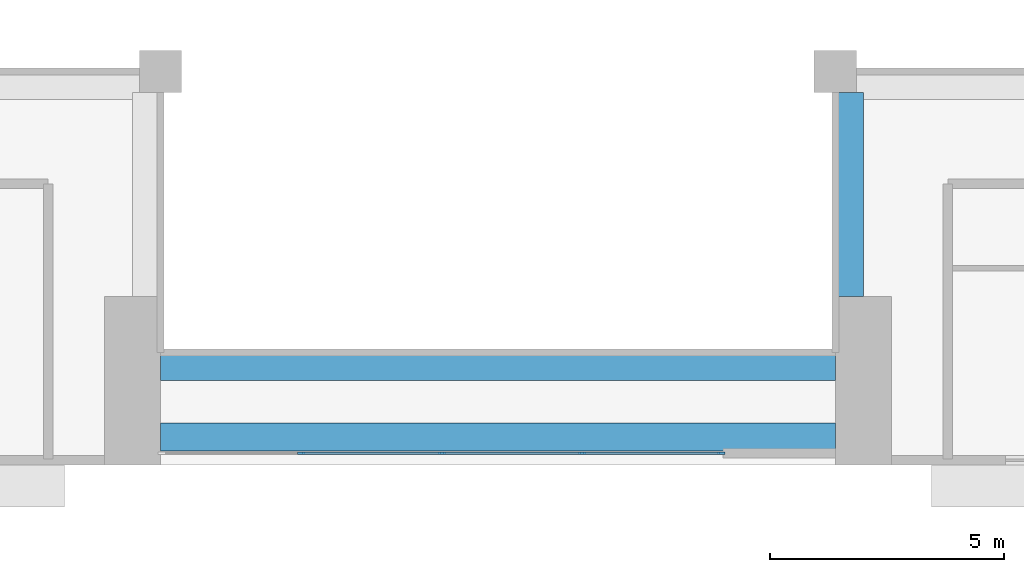
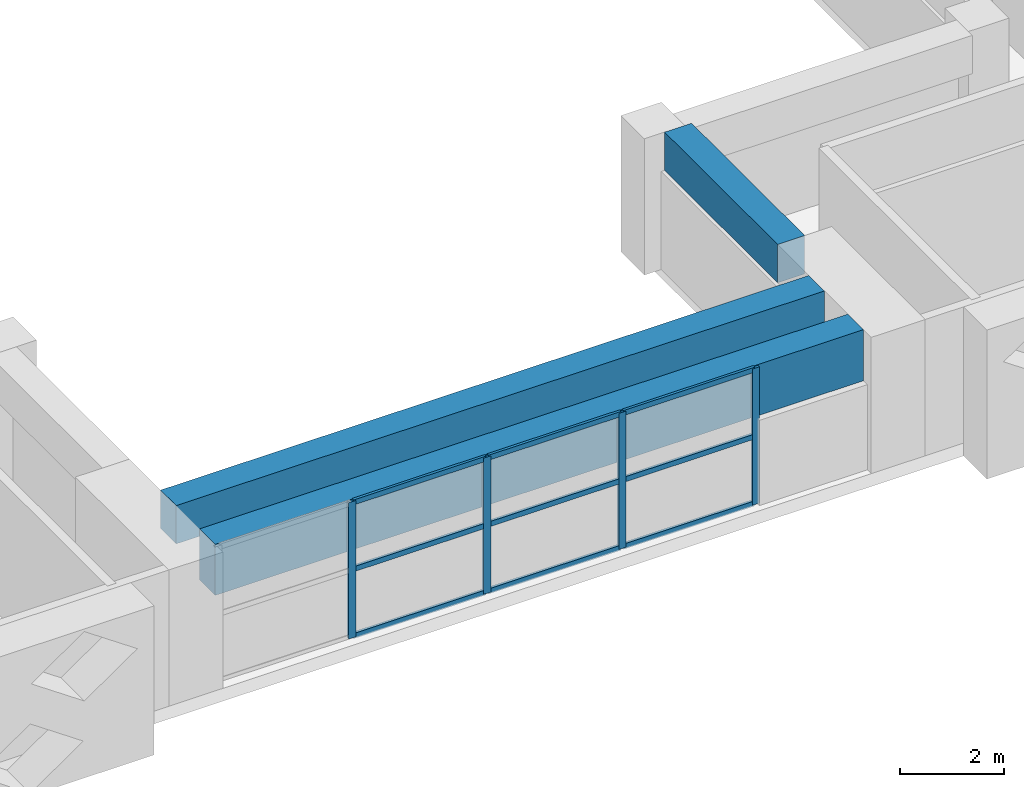
# One storey, part 4 of 20: 13 members, 3 beams, 1 element without a shape of its own.
"""IFC4 building model written with IfcOpenShell, lengths in metres."""

import ifcopenshell
import ifcopenshell.guid

model = None  # the IFC model being written
_history = None  # IfcOwnerHistory: only IFC2X3 demands one
_inside = {}  # id of a spatial element -> (the spatial element, [elements in it])
_under = {}  # id of a project, library or spatial element -> (it, [spatial elements below it])
_declared = {}  # id of a project -> (the project, [libraries it declares])
_typed = {}  # id of a type object -> (the type object, [elements of that type])
_made_of = {}  # id of a material, layer set ... -> (it, [elements and type objects made of it])


def new_model(schema):
    """Start an empty IFC model of exactly this schema.

    Asked for "IFC4X3", IfcOpenShell would pick the latest addendum, in which some entities
    have other attributes; the version numbers below select the first issue.
    IFC2X3 requires an IfcOwnerHistory on every rooted entity: one is made here for all.
    """
    global model, _history
    if schema == "IFC4X3":
        model = ifcopenshell.file(schema_version=(4, 3, 0, 0))
    else:
        model = ifcopenshell.file(schema=schema)
    _inside.clear()
    _under.clear()
    _declared.clear()
    _typed.clear()
    _made_of.clear()
    _history = None
    if model.schema == "IFC2X3":
        org = make("IfcOrganization", Name="unknown")
        user = make(
            "IfcPersonAndOrganization",
            ThePerson=make("IfcPerson", FamilyName="unknown"),
            TheOrganization=org,
        )
        app = make(
            "IfcApplication",
            ApplicationDeveloper=org,
            Version="unknown",
            ApplicationFullName="unknown",
            ApplicationIdentifier="unknown",
        )
        _history = make(
            "IfcOwnerHistory",
            OwningUser=user,
            OwningApplication=app,
            ChangeAction="ADDED",
            CreationDate=0,
        )
    return model


def make(cls, **values):
    """One entity of the class cls with the attributes given. An attribute that is None is left unset."""
    return model.create_entity(
        cls, **{name: value for name, value in values.items() if value is not None}
    )


def rooted(cls, **values):
    """An entity with a GlobalId (a new one), such as an element, a storey or a relation."""
    return make(cls, GlobalId=ifcopenshell.guid.new(), OwnerHistory=_history, **values)


def si_unit(unit_type, name, prefix=None):
    """IfcSIUnit, for example si_unit("LENGTHUNIT", "METRE", prefix="MILLI")."""
    return make("IfcSIUnit", UnitType=unit_type, Prefix=prefix, Name=name)


def assignment(units):
    """IfcUnitAssignment: the units of a project."""
    return None if units is None else make("IfcUnitAssignment", Units=units)


def point(xyz):
    """IfcCartesianPoint."""
    return None if xyz is None else make("IfcCartesianPoint", Coordinates=xyz)


def direction(xyz):
    """IfcDirection."""
    return None if xyz is None else make("IfcDirection", DirectionRatios=xyz)


def frame(location, z_axis=None, x_axis=None):
    """IfcAxis2Placement3D, a coordinate frame: its origin and axes. An axis left out is left unset."""
    return make(
        "IfcAxis2Placement3D",
        Location=point(location),
        Axis=direction(z_axis),
        RefDirection=direction(x_axis),
    )


def frame_2d(location, x_axis=None):
    """IfcAxis2Placement2D, a coordinate frame in the plane: its origin and x axis."""
    return make(
        "IfcAxis2Placement2D", Location=point(location), RefDirection=direction(x_axis)
    )


def origin():
    """The frame at (0, 0, 0) with its axes left unset."""
    return frame((0.0, 0.0, 0.0))


def origin_2d():
    """The frame at (0, 0) in the plane with its x axis left unset."""
    return frame_2d((0.0, 0.0))


def place(relative_to, where):
    """IfcLocalPlacement: puts the frame where relative to a parent placement (None: the world)."""
    return make(
        "IfcLocalPlacement", PlacementRelTo=relative_to, RelativePlacement=where
    )


def context(
    kind, dimensions, precision=None, world=None, true_north=None, identifier=None
):
    """IfcGeometricRepresentationContext, for example the 3D "Model" context."""
    return make(
        "IfcGeometricRepresentationContext",
        ContextIdentifier=identifier,
        ContextType=kind,
        CoordinateSpaceDimension=dimensions,
        Precision=precision,
        WorldCoordinateSystem=world,
        TrueNorth=true_north,
    )


def subcontext(parent, identifier, kind, view, scale=None):
    """IfcGeometricRepresentationSubContext, for example "Body" below "Model"."""
    return make(
        "IfcGeometricRepresentationSubContext",
        ContextIdentifier=identifier,
        ContextType=kind,
        ParentContext=parent,
        TargetScale=scale,
        TargetView=view,
    )


def project(units=None, contexts=None):
    """IfcProject with its units and contexts."""
    return rooted(
        "IfcProject",
        Name="project",
        RepresentationContexts=contexts,
        UnitsInContext=assignment(units),
    )


def spatial(cls, under=None, at=None, **own):
    """A site, building, storey or space (cls), placed at a placement, below another one or the project."""
    s = rooted(cls, ObjectPlacement=at, **own)
    if under is not None:
        _under.setdefault(under.id(), (under, []))[1].append(s)
    return s


def profile(cls, at=None, kind="AREA", **sizes):
    """A parametric profile (cls). Its sizes go by their IFC names, for example OverallWidth=200.0."""
    return make(cls, ProfileType=kind, Position=at, **sizes)


def rectangle(**sizes):
    """IfcRectangleProfileDef."""
    return profile("IfcRectangleProfileDef", **sizes)


def extrude(swept, where, along, depth):
    """IfcExtrudedAreaSolid: the profile swept, set in the frame where, extruded along a direction by depth."""
    return make(
        "IfcExtrudedAreaSolid",
        SweptArea=swept,
        Position=where,
        ExtrudedDirection=direction(along),
        Depth=depth,
    )


def shape(context_of_items, identifier, shape_type, items):
    """IfcShapeRepresentation: the items that make up one representation, for example the "Body"."""
    return make(
        "IfcShapeRepresentation",
        ContextOfItems=context_of_items,
        RepresentationIdentifier=identifier,
        RepresentationType=shape_type,
        Items=items,
    )


def source(mapping_origin, context_of_items, identifier, shape_type, items):
    """IfcRepresentationMap: a shape defined once, which mapped items show again and again."""
    return make(
        "IfcRepresentationMap",
        MappingOrigin=mapping_origin,
        MappedRepresentation=shape(context_of_items, identifier, shape_type, items),
    )


def transform(
    local_origin,
    x_axis=None,
    y_axis=None,
    z_axis=None,
    scale=None,
    scale2=None,
    scale3=None,
    uniform=True,
):
    """IfcCartesianTransformationOperator3D, or its non-uniform kind. x_axis, y_axis, z_axis: its Axis1, 2, 3."""
    if uniform:
        return make(
            "IfcCartesianTransformationOperator3D",
            Axis1=direction(x_axis),
            Axis2=direction(y_axis),
            LocalOrigin=point(local_origin),
            Scale=scale,
            Axis3=direction(z_axis),
        )
    return make(
        "IfcCartesianTransformationOperator3DnonUniform",
        Axis1=direction(x_axis),
        Axis2=direction(y_axis),
        LocalOrigin=point(local_origin),
        Scale=scale,
        Axis3=direction(z_axis),
        Scale2=scale2,
        Scale3=scale3,
    )


def mapped(mapping_source, mapping_target):
    """IfcMappedItem: shows the shape of a source again, moved by a transform."""
    return make(
        "IfcMappedItem", MappingSource=mapping_source, MappingTarget=mapping_target
    )


def material(Name=None, Category=None):
    """IfcMaterial."""
    return make("IfcMaterial", Name=Name, Category=Category)


def layer(
    of_material, thickness, ventilated=None, Name=None, Category=None, Priority=None
):
    """IfcMaterialLayer: one layer of a wall or slab, of a material (None: an air gap)."""
    return make(
        "IfcMaterialLayer",
        Material=of_material,
        LayerThickness=thickness,
        IsVentilated=ventilated,
        Name=Name,
        Category=Category,
        Priority=Priority,
    )


def layer_set(layers, Name=None):
    """IfcMaterialLayerSet."""
    return make("IfcMaterialLayerSet", MaterialLayers=layers, LayerSetName=Name)


def material_profile(
    of_material, cross_section, Name=None, Category=None, Priority=None
):
    """IfcMaterialProfile: a cross section and its material."""
    return make(
        "IfcMaterialProfile",
        Name=Name,
        Material=of_material,
        Profile=cross_section,
        Priority=Priority,
        Category=Category,
    )


def profile_set(profiles, Name=None, composite=None):
    """IfcMaterialProfileSet."""
    return make(
        "IfcMaterialProfileSet",
        Name=Name,
        MaterialProfiles=profiles,
        CompositeProfile=composite,
    )


def made_of(thing, what):
    """Note that an element or type object is made of a material, layer set ...; save() writes the relation."""
    if what is not None:
        _made_of.setdefault(what.id(), (what, []))[1].append(thing)
    return thing


def type_object(cls, material=None, **own):
    """A type object (cls), such as IfcWallType, which elements share."""
    return made_of(rooted(cls, **own), material)


def element(
    cls,
    number,
    at=None,
    inside=None,
    cuts=None,
    type_object=None,
    material=None,
    context=None,
    identifier="Body",
    shape_type=None,
    held_by="IfcProductDefinitionShape",
    body=None,
    shapes=None,
    **own,
):
    """One element of the class cls, such as IfcWall. Its Tag is "e" and its number.

    at: its placement. inside: the storey or other place that contains it. cuts: it is an
    opening in that element (IfcRelVoidsElement). A single representation is given by context,
    identifier, shape_type and body (its items); several are given by shapes. held_by: the class
    of the entity that holds the representations. save() writes the other relations.
    """
    e = rooted(cls, Tag="e%d" % number, ObjectPlacement=at, **own)
    if body is not None:
        shapes = [shape(context, identifier, shape_type, body)]
    if shapes is not None:
        e.Representation = make(held_by, Representations=shapes)
    if inside is not None:
        _inside.setdefault(inside.id(), (inside, []))[1].append(e)
    if cuts is not None:
        rooted(
            "IfcRelVoidsElement", RelatingBuildingElement=cuts, RelatedOpeningElement=e
        )
    if type_object is not None:
        _typed.setdefault(type_object.id(), (type_object, []))[1].append(e)
    return made_of(e, material)


def aggregate(whole, parts):
    """IfcRelAggregates: a whole, such as a stair, and the parts it consists of."""
    return rooted("IfcRelAggregates", RelatingObject=whole, RelatedObjects=parts)


def save(model, path):
    """Write the relations noted so far, then the file.

    IfcRelAggregates (storeys below a building ...), IfcRelContainedInSpatialStructure (elements
    in a storey), IfcRelDefinesByType, IfcRelAssociatesMaterial and IfcRelDeclares: one each for
    every whole, place, type object, material and project.
    """
    for whole, parts in _under.values():
        aggregate(whole, parts)
    for where, things in _inside.values():
        rooted(
            "IfcRelContainedInSpatialStructure",
            RelatedElements=things,
            RelatingStructure=where,
        )
    for kind, things in _typed.values():
        rooted("IfcRelDefinesByType", RelatedObjects=things, RelatingType=kind)
    for what, things in _made_of.values():
        rooted("IfcRelAssociatesMaterial", RelatedObjects=things, RelatingMaterial=what)
    for by, libraries in _declared.values():
        rooted("IfcRelDeclares", RelatingContext=by, RelatedDefinitions=libraries)
    model.write(path)


model = new_model("IFC4")

# Units and contexts
model_context = context("Model", 3, precision=1e-05, world=origin(), true_north=direction((0.0, 1.0)))
body_context = subcontext(model_context, "Body", "Model", "MODEL_VIEW")
ifc_project = project(units=[si_unit("LENGTHUNIT", "METRE"), si_unit("AREAUNIT", "SQUARE_METRE"), si_unit("VOLUMEUNIT", "CUBIC_METRE"), si_unit("PLANEANGLEUNIT", "RADIAN"), si_unit("MASSUNIT", "GRAM", prefix="KILO")], contexts=[model_context])

# Site, building, storey
site_placement = place(None, origin())
site = spatial("IfcSite", under=ifc_project, at=site_placement, CompositionType="ELEMENT")
building_placement = place(site_placement, origin())
building = spatial("IfcBuilding", under=site, at=building_placement, Name="Saffron Iwan Residences", CompositionType="ELEMENT")
storey_placement = place(building_placement, frame((0.0, 0.0, 178.0)))
storey = spatial("IfcBuildingStorey", under=building, at=storey_placement, Name="L47", CompositionType="ELEMENT", Elevation=178.0)

# Beams
ifc_material_1 = material(Name="Concrete C50/60", Category="concrete")
ifc_material_profile_1 = material_profile(ifc_material_1, rectangle(XDim=0.60009765625, YDim=1.199951171875, at=origin_2d()), Name="RC 600x1200")
ifc_profile_set_1 = profile_set([ifc_material_profile_1], Name="Concrete C50/60")
beam_type_1 = type_object("IfcBeamType", Name="LINTEL BEAM RC 600x1200 C50/60 TOP 3200", PredefinedType="LINTEL", material=ifc_profile_set_1)
shared_shape_1 = source(origin(), body_context, "Body", "SweptSolid", [
    extrude(rectangle(XDim=0.60009765625, YDim=1.199951171875, at=origin_2d()), origin(), (0.0, 0.0, 1.0), 14.400146484375),
])
beam_1_placement = place(storey_placement, frame((57.60009765625, 40.199951171875, 2.60009765625), z_axis=(-1.0, 0.0, 0.0), x_axis=(0.0, -1.0, 0.0)))
element("IfcBeam", 1, at=beam_1_placement, inside=storey, type_object=beam_type_1, Name="Lintel beam over the iwan", PredefinedType="LINTEL", context=body_context, shape_type="MappedRepresentation", body=[
    mapped(shared_shape_1, transform((0.0, 0.0, 0.0))),
])
ifc_material_profile_2 = material_profile(ifc_material_1, rectangle(XDim=0.60009765625, YDim=0.89990234375, at=origin_2d()), Name="RC 600x900")
ifc_profile_set_2 = profile_set([ifc_material_profile_2], Name="Concrete C50/60")
beam_type_2 = type_object("IfcBeamType", Name="BEAM RC 600x900 C50/60 TOP 3200", PredefinedType="BEAM", material=ifc_profile_set_2)
shared_shape_2 = source(origin(), body_context, "Body", "SweptSolid", [
    extrude(rectangle(XDim=0.60009765625, YDim=0.89990234375, at=origin_2d()), origin(), (0.0, 0.0, 1.0), 14.400146484375),
])
beam_2_placement = place(storey_placement, frame((57.60009765625, 41.699951171875, 2.75), z_axis=(-1.0, 0.0, 0.0), x_axis=(0.0, -1.0, 0.0)))
element("IfcBeam", 2, at=beam_2_placement, inside=storey, type_object=beam_type_2, Name="Atrium edge beam", PredefinedType="BEAM", context=body_context, shape_type="MappedRepresentation", body=[
    mapped(shared_shape_2, transform((0.0, 0.0, 0.0))),
])
shared_shape_3 = source(origin(), body_context, "Body", "SweptSolid", [
    extrude(rectangle(XDim=0.60009765625, YDim=0.89990234375, at=origin_2d()), origin(), (0.0, 0.0, 1.0), 4.35009765625),
])
beam_3_placement = place(storey_placement, frame((57.89990234375, 47.550048828125, 2.75), z_axis=(0.0, -1.0, 0.0), x_axis=(1.0, 0.0, 0.0)))
element("IfcBeam", 3, at=beam_3_placement, inside=storey, type_object=beam_type_2, Name="Atrium edge beam", PredefinedType="BEAM", context=body_context, shape_type="MappedRepresentation", body=[
    mapped(shared_shape_3, transform((0.0, 0.0, 0.0))),
])

# Curtain wall, members
ifc_material_2 = material(Name="Clear glass, laminated double glazed", Category="glass")
ifc_layer = layer(ifc_material_2, 0.199951171875)
ifc_layer_set = layer_set([ifc_layer], Name="Clear glass, laminated double glazed")
curtain_wall_type = type_object("IfcCurtainWallType", Name="CW-B IWAN PORTAL", PredefinedType="NOTDEFINED", material=ifc_layer_set)
curtain_wall_placement = place(storey_placement, origin())
curtain_wall = element("IfcCurtainWall", 4, at=curtain_wall_placement, inside=storey, type_object=curtain_wall_type, Name="Iwan portal glazing L47.1", PredefinedType="NOTDEFINED")
ifc_material_3 = material(Name="Aluminium 6063-T6", Category="aluminium")
ifc_material_profile_3 = material_profile(ifc_material_3, rectangle(XDim=0.06005859375, YDim=0.1201171875, at=origin_2d()), Name="CW-B TRANSOM 60 x 120")
ifc_profile_set_3 = profile_set([ifc_material_profile_3], Name="Aluminium 6063-T6")
member_type_1 = type_object("IfcMemberType", Name="CW-B TRANSOM 60 x 120", PredefinedType="USERDEFINED", material=ifc_profile_set_3)
shared_shape_4 = source(origin(), body_context, "Body", "SweptSolid", [
    extrude(rectangle(XDim=0.06005859375, YDim=0.1201171875, at=origin_2d()), origin(), (0.0, 0.0, 1.0), 2.909912109375),
])
member_1_placement = place(storey_placement, frame((52.22998046875, 39.85009765625, 0.030029296875), z_axis=(1.0, 0.0, 0.0), x_axis=(0.0, 1.0, 0.0)))
member_1 = element("IfcMember", 5, at=member_1_placement, type_object=member_type_1, Name="CW-B transom 4.1", ObjectType="TRANSOM", PredefinedType="USERDEFINED", context=body_context, shape_type="MappedRepresentation", body=[
    mapped(shared_shape_4, transform((0.0, 0.0, 0.0))),
])
member_2_placement = place(storey_placement, frame((52.22998046875, 39.85009765625, 1.60009765625), z_axis=(1.0, 0.0, 0.0), x_axis=(0.0, 1.0, 0.0)))
member_2 = element("IfcMember", 6, at=member_2_placement, type_object=member_type_1, Name="CW-B transom 4.2", ObjectType="TRANSOM", PredefinedType="USERDEFINED", context=body_context, shape_type="MappedRepresentation", body=[
    mapped(shared_shape_4, transform((0.0, 0.0, 0.0))),
])
member_3_placement = place(storey_placement, frame((52.22998046875, 39.85009765625, 3.169921875), z_axis=(1.0, 0.0, 0.0), x_axis=(0.0, 1.0, 0.0)))
member_3 = element("IfcMember", 7, at=member_3_placement, type_object=member_type_1, Name="CW-B transom 4.3", ObjectType="TRANSOM", PredefinedType="USERDEFINED", context=body_context, shape_type="MappedRepresentation", body=[
    mapped(shared_shape_4, transform((0.0, 0.0, 0.0))),
])
shared_shape_5 = source(origin(), body_context, "Body", "SweptSolid", [
    extrude(rectangle(XDim=0.06005859375, YDim=0.1201171875, at=origin_2d()), origin(), (0.0, 0.0, 1.0), 2.93994140625),
])
member_4_placement = place(storey_placement, frame((46.22998046875, 39.85009765625, 0.030029296875), z_axis=(1.0, 0.0, 0.0), x_axis=(0.0, 1.0, 0.0)))
member_4 = element("IfcMember", 8, at=member_4_placement, type_object=member_type_1, Name="CW-B transom 2.1", ObjectType="TRANSOM", PredefinedType="USERDEFINED", context=body_context, shape_type="MappedRepresentation", body=[
    mapped(shared_shape_5, transform((0.0, 0.0, 0.0))),
])
member_5_placement = place(storey_placement, frame((46.22998046875, 39.85009765625, 1.60009765625), z_axis=(1.0, 0.0, 0.0), x_axis=(0.0, 1.0, 0.0)))
member_5 = element("IfcMember", 9, at=member_5_placement, type_object=member_type_1, Name="CW-B transom 2.2", ObjectType="TRANSOM", PredefinedType="USERDEFINED", context=body_context, shape_type="MappedRepresentation", body=[
    mapped(shared_shape_5, transform((0.0, 0.0, 0.0))),
])
member_6_placement = place(storey_placement, frame((46.22998046875, 39.85009765625, 3.169921875), z_axis=(1.0, 0.0, 0.0), x_axis=(0.0, 1.0, 0.0)))
member_6 = element("IfcMember", 10, at=member_6_placement, type_object=member_type_1, Name="CW-B transom 2.3", ObjectType="TRANSOM", PredefinedType="USERDEFINED", context=body_context, shape_type="MappedRepresentation", body=[
    mapped(shared_shape_5, transform((0.0, 0.0, 0.0))),
])
member_7_placement = place(storey_placement, frame((49.22998046875, 39.85009765625, 0.030029296875), z_axis=(1.0, 0.0, 0.0), x_axis=(0.0, 1.0, 0.0)))
member_7 = element("IfcMember", 11, at=member_7_placement, type_object=member_type_1, Name="CW-B transom 3.1", ObjectType="TRANSOM", PredefinedType="USERDEFINED", context=body_context, shape_type="MappedRepresentation", body=[
    mapped(shared_shape_5, transform((0.0, 0.0, 0.0))),
])
member_8_placement = place(storey_placement, frame((49.22998046875, 39.85009765625, 1.60009765625), z_axis=(1.0, 0.0, 0.0), x_axis=(0.0, 1.0, 0.0)))
member_8 = element("IfcMember", 12, at=member_8_placement, type_object=member_type_1, Name="CW-B transom 3.2", ObjectType="TRANSOM", PredefinedType="USERDEFINED", context=body_context, shape_type="MappedRepresentation", body=[
    mapped(shared_shape_5, transform((0.0, 0.0, 0.0))),
])
member_9_placement = place(storey_placement, frame((49.22998046875, 39.85009765625, 3.169921875), z_axis=(1.0, 0.0, 0.0), x_axis=(0.0, 1.0, 0.0)))
member_9 = element("IfcMember", 13, at=member_9_placement, type_object=member_type_1, Name="CW-B transom 3.3", ObjectType="TRANSOM", PredefinedType="USERDEFINED", context=body_context, shape_type="MappedRepresentation", body=[
    mapped(shared_shape_5, transform((0.0, 0.0, 0.0))),
])
ifc_material_profile_4 = material_profile(ifc_material_3, rectangle(XDim=0.06005859375, YDim=0.159912109375, at=origin_2d()), Name="CW-B MULLION 60 x 160")
ifc_profile_set_4 = profile_set([ifc_material_profile_4], Name="Aluminium 6063-T6")
member_type_2 = type_object("IfcMemberType", Name="CW-B MULLION 60 x 160", PredefinedType="MULLION", material=ifc_profile_set_4)
shared_shape_6 = source(origin(), body_context, "Body", "SweptSolid", [
    extrude(rectangle(XDim=0.06005859375, YDim=0.159912109375, at=origin_2d()), origin(), (0.0, 0.0, 1.0), 3.199951171875),
])
member_10_placement = place(storey_placement, frame((46.199951171875, 39.85009765625, 0.0), z_axis=(0.0, 0.0, 1.0), x_axis=(0.0, 1.0, 0.0)))
member_10 = element("IfcMember", 14, at=member_10_placement, type_object=member_type_2, Name="CW-B mullion 2", PredefinedType="MULLION", context=body_context, shape_type="MappedRepresentation", body=[
    mapped(shared_shape_6, transform((0.0, 0.0, 0.0))),
])
member_11_placement = place(storey_placement, frame((49.199951171875, 39.85009765625, 0.0), z_axis=(0.0, 0.0, 1.0), x_axis=(0.0, 1.0, 0.0)))
member_11 = element("IfcMember", 15, at=member_11_placement, type_object=member_type_2, Name="CW-B mullion 3", PredefinedType="MULLION", context=body_context, shape_type="MappedRepresentation", body=[
    mapped(shared_shape_6, transform((0.0, 0.0, 0.0))),
])
member_12_placement = place(storey_placement, frame((52.199951171875, 39.85009765625, 0.0), z_axis=(0.0, 0.0, 1.0), x_axis=(0.0, 1.0, 0.0)))
member_12 = element("IfcMember", 16, at=member_12_placement, type_object=member_type_2, Name="CW-B mullion 4", PredefinedType="MULLION", context=body_context, shape_type="MappedRepresentation", body=[
    mapped(shared_shape_6, transform((0.0, 0.0, 0.0))),
])
member_13_placement = place(storey_placement, frame((55.169921875, 39.85009765625, 0.0), z_axis=(0.0, 0.0, 1.0), x_axis=(0.0, 1.0, 0.0)))
member_13 = element("IfcMember", 17, at=member_13_placement, type_object=member_type_2, Name="CW-B mullion 5", PredefinedType="MULLION", context=body_context, shape_type="MappedRepresentation", body=[
    mapped(shared_shape_6, transform((0.0, 0.0, 0.0))),
])
aggregate(curtain_wall, [member_10, member_11, member_12, member_13, member_4, member_5, member_6, member_7, member_8, member_9, member_1, member_2, member_3])

save(model, "model.ifc")
